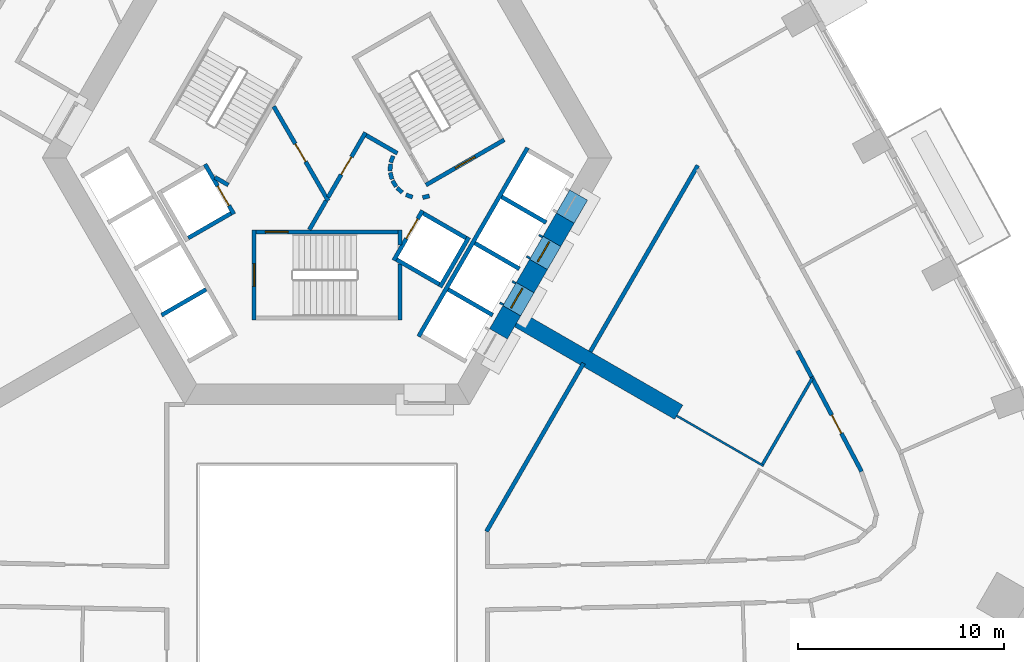
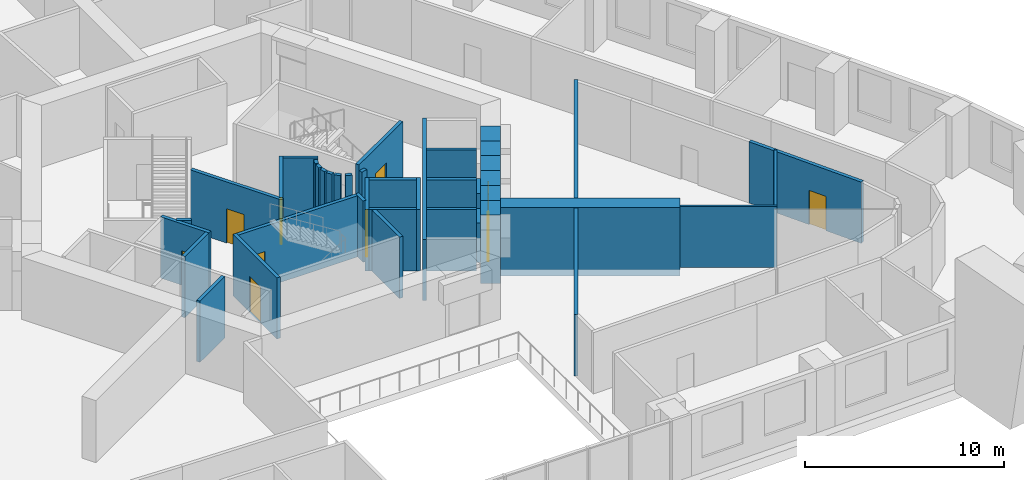
# One storey, part 6 of 14: 43 walls, 10 doors, 10 openings.
"""IFC4 building model written with IfcOpenShell, lengths in metres."""

from ifc_helpers import new_model, si_unit, direction, frame, frame_2d, origin, place, context, subcontext, project, spatial, polyline, rectangle, outline, extrude, material, layer, layer_set, type_object, element, fill, save


model = new_model("IFC4")

# Units and contexts
model_context = context("Model", 3, precision=1e-05, world=origin(), true_north=direction((0.0, 1.0)))
body_context = subcontext(model_context, "Body", "Model", "MODEL_VIEW")
ifc_project = project(units=[si_unit("LENGTHUNIT", "METRE"), si_unit("AREAUNIT", "SQUARE_METRE"), si_unit("VOLUMEUNIT", "CUBIC_METRE"), si_unit("PLANEANGLEUNIT", "RADIAN"), si_unit("MASSUNIT", "GRAM", prefix="KILO")], contexts=[model_context])

# Site, building, storey
site_placement = place(None, origin())
site = spatial("IfcSite", under=ifc_project, at=site_placement, CompositionType="ELEMENT")
building_placement = place(site_placement, origin())
building = spatial("IfcBuilding", under=site, at=building_placement, Name="Entoto Arch Interchange Tower", CompositionType="ELEMENT")
storey_placement = place(building_placement, frame((0.0, 0.0, 176.0)))
storey = spatial("IfcBuildingStorey", under=building, at=storey_placement, Name="L39", CompositionType="ELEMENT", Elevation=176.0)

# Walls
ifc_material_1 = material(Name="Concrete C50/60", Category="concrete")
ifc_layer_1 = layer(ifc_material_1, 0.800048828125)
ifc_layer_set_1 = layer_set([ifc_layer_1], Name="Concrete C50/60")
wall_type_1 = type_object("IfcWallType", Name="Buttress wall 800 C50/60", PredefinedType="SHEAR", material=ifc_layer_set_1)
wall_1_placement = place(storey_placement, frame((9.31005859375, -5.375, -0.39990234375), z_axis=(0.0, 0.0, 1.0), x_axis=(0.866017533419, -0.500013631625, 0.0)))
element("IfcWall", 1, at=wall_1_placement, inside=storey, type_object=wall_type_1, Name="Buttress wall SE L39", PredefinedType="SHEAR", context=body_context, shape_type="SweptSolid", body=[
    extrude(rectangle(XDim=8.999755859375, YDim=0.800048828125, at=frame_2d((4.5, 0.0))), origin(), (0.0, 0.0, 1.0), 4.199951171875),
])
ifc_layer_2 = layer(ifc_material_1, 1.0)
ifc_layer_set_2 = layer_set([ifc_layer_2], Name="Concrete C50/60")
wall_type_2 = type_object("IfcWallType", Name="Core wall 1000 C50/60", PredefinedType="SHEAR", material=ifc_layer_set_2)
wall_2_placement = place(storey_placement, frame((0.0, 0.0, -0.39990234375)))
element("IfcWall", 2, at=wall_2_placement, inside=storey, type_object=wall_type_2, Name="Core wall SE L39", PredefinedType="SHEAR", context=body_context, shape_type="SweptSolid", body=[
    extrude(outline(polyline([(9.4169921875, -5.18896484375), (8.551025390625, -4.68896484375), (7.902099609375, -5.81396484375), (8.76708984375, -6.31396484375), (9.4169921875, -5.18896484375)])), origin(), (0.0, 0.0, 1.0), 4.199951171875),
])
wall_3_placement = place(storey_placement, frame((0.0, 0.0, -0.39990234375)))
element("IfcWall", 3, at=wall_3_placement, inside=storey, type_object=wall_type_2, Name="Core wall SE L39", PredefinedType="SHEAR", context=body_context, shape_type="SweptSolid", body=[
    extrude(outline(polyline([(10.717041015625, -2.93701171875), (9.85107421875, -2.43701171875), (9.200927734375, -3.56298828125), (10.06689453125, -4.06298828125), (10.717041015625, -2.93701171875)])), origin(), (0.0, 0.0, 1.0), 4.199951171875),
])
wall_4_placement = place(storey_placement, frame((0.0, 0.0, -0.39990234375)))
element("IfcWall", 4, at=wall_4_placement, inside=storey, type_object=wall_type_2, Name="Core wall SE L39", PredefinedType="SHEAR", context=body_context, shape_type="SweptSolid", body=[
    extrude(outline(polyline([(12.01708984375, -0.68603515625), (11.15087890625, -0.18603515625), (10.5009765625, -1.31103515625), (11.366943359375, -1.81103515625), (12.01708984375, -0.68603515625)])), origin(), (0.0, 0.0, 1.0), 4.199951171875),
])
wall_5_placement = place(storey_placement, frame((0.0, 0.0, 3.60009765625)))
element("IfcWall", 5, at=wall_5_placement, inside=storey, type_object=wall_type_2, Name="Core wall lintel SE L39", PredefinedType="SHEAR", context=body_context, shape_type="SweptSolid", body=[
    extrude(outline(polyline([(10.06689453125, -4.06298828125), (9.200927734375, -3.56298828125), (8.551025390625, -4.68896484375), (9.4169921875, -5.18896484375), (10.06689453125, -4.06298828125)])), origin(), (0.0, 0.0, 1.0), 0.199951171875),
])
wall_6_placement = place(storey_placement, frame((0.0, 0.0, 3.60009765625)))
element("IfcWall", 6, at=wall_6_placement, inside=storey, type_object=wall_type_2, Name="Core wall lintel SE L39", PredefinedType="SHEAR", context=body_context, shape_type="SweptSolid", body=[
    extrude(outline(polyline([(11.366943359375, -1.81103515625), (10.5009765625, -1.31103515625), (9.85107421875, -2.43701171875), (10.717041015625, -2.93701171875), (11.366943359375, -1.81103515625)])), origin(), (0.0, 0.0, 1.0), 0.199951171875),
])
wall_7_placement = place(storey_placement, frame((0.0, 0.0, 3.60009765625)))
element("IfcWall", 7, at=wall_7_placement, inside=storey, type_object=wall_type_2, Name="Core wall lintel SE L39", PredefinedType="SHEAR", context=body_context, shape_type="SweptSolid", body=[
    extrude(outline(polyline([(12.6669921875, 0.43994140625), (11.801025390625, 0.93994140625), (11.15087890625, -0.18603515625), (12.01708984375, -0.68603515625), (12.6669921875, 0.43994140625)])), origin(), (0.0, 0.0, 1.0), 0.199951171875),
])

# Wall, opening, door
ifc_material_2 = material(Name="Concrete C40/50", Category="concrete")
ifc_layer_3 = layer(ifc_material_2, 1.199951171875)
ifc_layer_set_3 = layer_set([ifc_layer_3], Name="Concrete C40/50")
wall_type_3 = type_object("IfcWallType", Name="LIFT LANDING INFILL WALL", PredefinedType="STANDARD", material=ifc_layer_set_3)
wall_8_placement = place(storey_placement, frame((8.89794921875, -4.888916015625, 0.0), z_axis=(0.0, 0.0, 1.0), x_axis=(0.500036693733, 0.866004217611, 0.0)))
wall_8 = element("IfcWall", 8, at=wall_8_placement, inside=storey, type_object=wall_type_3, Name="Lift landing infill wall LR6 L39", PredefinedType="STANDARD", context=body_context, shape_type="SweptSolid", body=[
    extrude(rectangle(XDim=1.30029296875, YDim=1.199951171875, at=frame_2d((0.650146484375, 0.0))), origin(), (0.0, 0.0, 1.0), 2.39990234375),
])
opening_1_placement = place(wall_8_placement, frame((0.10009765625, 0.0, 0.0)))
opening_1 = element("IfcOpeningElement", 9, at=opening_1_placement, cuts=wall_8, Name="Opening LD-LR6-L39", PredefinedType="OPENING", context=body_context, shape_type="SweptSolid", body=[
    extrude(rectangle(XDim=1.10009765625, YDim=2.300048828125, at=frame_2d((0.550048828125, 1.14990234375))), frame((0.0, 0.60986328125, 0.0), z_axis=(0.0, -1.0, 0.0), x_axis=(1.0, 0.0, 0.0)), (0.0, 0.0, 1.0), 1.219970703125),
])
ifc_material_3 = material(Name="Stainless steel 1.4301 panels", Category="steel")
door_type_1 = type_object("IfcDoorType", Name="LIFT LANDING DOOR LD2 1100x2300", OperationType="SLIDING_TO_LEFT", PredefinedType="DOOR", material=ifc_material_3)
door_1_placement = place(opening_1_placement, origin())
door_1 = element("IfcDoor", 10, at=door_1_placement, inside=storey, type_object=door_type_1, Name="Lift landing door LR6 L39", OperationType="SLIDING_TO_LEFT", OverallHeight=2.300048828125, OverallWidth=1.10009765625, PredefinedType="DOOR", context=body_context, shape_type="SweptSolid", body=[
    extrude(rectangle(XDim=1.10009765625, YDim=2.300048828125, at=frame_2d((0.550048828125, 1.14990234375))), frame((0.0, 0.02490234375, 0.0), z_axis=(0.0, -1.0, 0.0), x_axis=(1.0, 0.0, 0.0)), (0.0, 0.0, 1.0), 0.050048828125),
])
fill(opening_1, door_1)

wall_9_placement = place(storey_placement, frame((10.197998046875, -2.636962890625, 0.0), z_axis=(0.0, 0.0, 1.0), x_axis=(0.49989585183, 0.866085525409, 0.0)))
wall_9 = element("IfcWall", 11, at=wall_9_placement, inside=storey, type_object=wall_type_3, Name="Lift landing infill wall LR7 L39", PredefinedType="STANDARD", context=body_context, shape_type="SweptSolid", body=[
    extrude(rectangle(XDim=1.300048828125, YDim=1.199951171875, at=frame_2d((0.64990234375, 0.0))), origin(), (0.0, 0.0, 1.0), 2.39990234375),
])
opening_2_placement = place(wall_9_placement, frame((0.10009765625, 0.0, 0.0)))
opening_2 = element("IfcOpeningElement", 12, at=opening_2_placement, cuts=wall_9, Name="Opening LD-LR7-L39", PredefinedType="OPENING", context=body_context, shape_type="SweptSolid", body=[
    extrude(rectangle(XDim=1.10009765625, YDim=2.300048828125, at=frame_2d((0.550048828125, 1.14990234375))), frame((0.0, 0.60986328125, 0.0), z_axis=(0.0, -1.0, 0.0), x_axis=(1.0, 0.0, 0.0)), (0.0, 0.0, 1.0), 1.219970703125),
])
door_2_placement = place(opening_2_placement, origin())
door_2 = element("IfcDoor", 13, at=door_2_placement, inside=storey, type_object=door_type_1, Name="Lift landing door LR7 L39", OperationType="SLIDING_TO_LEFT", OverallHeight=2.300048828125, OverallWidth=1.10009765625, PredefinedType="DOOR", context=body_context, shape_type="SweptSolid", body=[
    extrude(rectangle(XDim=1.10009765625, YDim=2.300048828125, at=frame_2d((0.550048828125, 1.14990234375))), frame((0.0, 0.02490234375, 0.0), z_axis=(0.0, -1.0, 0.0), x_axis=(1.0, 0.0, 0.0)), (0.0, 0.0, 1.0), 0.050048828125),
])
fill(opening_2, door_2)

ifc_layer_4 = layer(ifc_material_2, 0.199951171875)
ifc_layer_set_4 = layer_set([ifc_layer_4], Name="Concrete C40/50")
wall_type_4 = type_object("IfcWallType", Name="LIFT SHAFT WALL 200", PredefinedType="STANDARD", material=ifc_layer_set_4)
wall_10_placement = place(storey_placement, frame((-5.93994140625, 2.18798828125, 0.0), z_axis=(0.0, 0.0, 1.0), x_axis=(0.49994636267, -0.866056369097, 0.0)))
wall_10 = element("IfcWall", 14, at=wall_10_placement, inside=storey, type_object=wall_type_4, Name="Shaft wall SW1 front", PredefinedType="STANDARD", context=body_context, shape_type="SweptSolid", body=[
    extrude(rectangle(XDim=2.800048828125, YDim=0.199951171875, at=frame_2d((1.39990234375, 0.0))), origin(), (0.0, 0.0, 1.0), 3.75),
])
opening_3_placement = place(wall_10_placement, frame((1.22509765625, 0.0, 0.0)))
opening_3 = element("IfcOpeningElement", 15, at=opening_3_placement, cuts=wall_10, Name="Opening LD-FF2-L39", PredefinedType="OPENING", context=body_context, shape_type="SweptSolid", body=[
    extrude(rectangle(XDim=1.10009765625, YDim=2.10009765625, at=frame_2d((0.550048828125, 1.050048828125))), frame((0.0, 0.10986328125, 0.0), z_axis=(0.0, -1.0, 0.0), x_axis=(1.0, 0.0, 0.0)), (0.0, 0.0, 1.0), 0.219970703125),
])
door_type_2 = type_object("IfcDoorType", Name="LIFT LANDING DOOR LD1 1100x2100", OperationType="SLIDING_TO_LEFT", PredefinedType="DOOR", material=ifc_material_3)
door_3_placement = place(opening_3_placement, origin())
door_3 = element("IfcDoor", 16, at=door_3_placement, inside=storey, type_object=door_type_2, Name="Lift landing door FF2 L39", OperationType="SLIDING_TO_LEFT", OverallHeight=2.10009765625, OverallWidth=1.10009765625, PredefinedType="DOOR", context=body_context, shape_type="SweptSolid", body=[
    extrude(rectangle(XDim=1.10009765625, YDim=2.10009765625, at=frame_2d((0.550048828125, 1.050048828125))), frame((0.0, 0.02490234375, 0.0), z_axis=(0.0, -1.0, 0.0), x_axis=(1.0, 0.0, 0.0)), (0.0, 0.0, 1.0), 0.050048828125),
])
fill(opening_3, door_3)

# Walls
wall_11_placement = place(storey_placement, frame((-4.677001953125, -0.199951171875, 0.0), z_axis=(0.0, 0.0, 1.0), x_axis=(-0.865973769406, -0.500089422704, 0.0)))
element("IfcWall", 17, at=wall_11_placement, inside=storey, type_object=wall_type_4, Name="Shaft wall SW1 cross 2", PredefinedType="STANDARD", context=body_context, shape_type="SweptSolid", body=[
    extrude(rectangle(XDim=2.3994140625, YDim=0.199951171875, at=frame_2d((1.19970703125, 0.0))), origin(), (0.0, 0.0, 1.0), 3.75),
])
wall_12_placement = place(storey_placement, frame((-5.887939453125, -3.902099609375, 0.0), z_axis=(0.0, 0.0, 1.0), x_axis=(-0.866022959057, -0.500004234368, 0.0)))
element("IfcWall", 18, at=wall_12_placement, inside=storey, type_object=wall_type_4, Name="Shaft wall SW3 cross 4", PredefinedType="STANDARD", context=body_context, shape_type="SweptSolid", body=[
    extrude(rectangle(XDim=2.5, YDim=0.199951171875, at=frame_2d((1.25, 0.0))), origin(), (0.0, 0.0, 1.0), 3.75),
])

# Wall, opening, door
wall_13_placement = place(storey_placement, frame((3.239990234375, -2.488037109375, 0.0), z_axis=(0.0, 0.0, 1.0), x_axis=(0.49994636267, 0.866056369097, 0.0)))
wall_13 = element("IfcWall", 19, at=wall_13_placement, inside=storey, type_object=wall_type_4, Name="Shaft wall SE1 front", PredefinedType="STANDARD", context=body_context, shape_type="SweptSolid", body=[
    extrude(rectangle(XDim=2.800048828125, YDim=0.199951171875, at=frame_2d((1.39990234375, 0.0))), origin(), (0.0, 0.0, 1.0), 3.75),
])
opening_4_placement = place(wall_13_placement, frame((1.22509765625, 0.0, 0.0)))
opening_4 = element("IfcOpeningElement", 20, at=opening_4_placement, cuts=wall_13, Name="Opening LD-FF1-L39", PredefinedType="OPENING", context=body_context, shape_type="SweptSolid", body=[
    extrude(rectangle(XDim=1.10009765625, YDim=2.10009765625, at=frame_2d((0.550048828125, 1.050048828125))), frame((0.0, 0.10986328125, 0.0), z_axis=(0.0, -1.0, 0.0), x_axis=(1.0, 0.0, 0.0)), (0.0, 0.0, 1.0), 0.219970703125),
])
door_4_placement = place(opening_4_placement, origin())
door_4 = element("IfcDoor", 21, at=door_4_placement, inside=storey, type_object=door_type_2, Name="Lift landing door FF1 L39", OperationType="SLIDING_TO_LEFT", OverallHeight=2.10009765625, OverallWidth=1.10009765625, PredefinedType="DOOR", context=body_context, shape_type="SweptSolid", body=[
    extrude(rectangle(XDim=1.10009765625, YDim=2.10009765625, at=frame_2d((0.550048828125, 1.050048828125))), frame((0.0, 0.02490234375, 0.0), z_axis=(0.0, -1.0, 0.0), x_axis=(1.0, 0.0, 0.0)), (0.0, 0.0, 1.0), 0.050048828125),
])
fill(opening_4, door_4)

# Walls
wall_14_placement = place(storey_placement, frame((5.491943359375, -3.7880859375, 0.0), z_axis=(0.0, 0.0, 1.0), x_axis=(0.500011755427, 0.866018616679, 0.0)))
element("IfcWall", 22, at=wall_14_placement, inside=storey, type_object=wall_type_4, Name="Shaft wall SE1 back", PredefinedType="STANDARD", context=body_context, shape_type="SweptSolid", body=[
    extrude(rectangle(XDim=2.80029296875, YDim=0.199951171875, at=frame_2d((1.400146484375, 0.0))), origin(), (0.0, 0.0, 1.0), 3.75),
])
wall_15_placement = place(storey_placement, frame((3.376953125, -2.451904296875, 0.0), z_axis=(0.0, 0.0, 1.0), x_axis=(0.865955154139, -0.50012165622, 0.0)))
element("IfcWall", 23, at=wall_15_placement, inside=storey, type_object=wall_type_4, Name="Shaft wall SE1 cross 1", PredefinedType="STANDARD", context=body_context, shape_type="SweptSolid", body=[
    extrude(rectangle(XDim=2.39990234375, YDim=0.199951171875, at=frame_2d((1.199951171875, 0.0))), origin(), (0.0, 0.0, 1.0), 3.75),
])
wall_16_placement = place(storey_placement, frame((4.677001953125, -0.199951171875, 0.0), z_axis=(0.0, 0.0, 1.0), x_axis=(0.865973769406, -0.500089422704, 0.0)))
element("IfcWall", 24, at=wall_16_placement, inside=storey, type_object=wall_type_4, Name="Shaft wall SE1 cross 2", PredefinedType="STANDARD", context=body_context, shape_type="SweptSolid", body=[
    extrude(rectangle(XDim=2.3994140625, YDim=0.199951171875, at=frame_2d((1.19970703125, 0.0))), origin(), (0.0, 0.0, 1.0), 3.75),
])
wall_17_placement = place(storey_placement, frame((4.450927734375, -6.18994140625, 0.0), z_axis=(0.0, 0.0, 1.0), x_axis=(0.50000090737, 0.866024879913, 0.0)))
element("IfcWall", 25, at=wall_17_placement, inside=storey, type_object=wall_type_4, Name="Shaft wall SE3 front", PredefinedType="STANDARD", context=body_context, shape_type="SweptSolid", body=[
    extrude(rectangle(XDim=10.60009765625, YDim=0.199951171875, at=frame_2d((5.300048828125, 0.0))), origin(), (0.0, 0.0, 1.0), 3.75),
])
for number, where, z_axis, x_axis, name in (
    (26, (5.887939453125, -3.902099609375, 0.0), (0.0, 0.0, 1.0), (0.866022959057, -0.500004234368, 0.0), "Shaft wall SE3 cross 2"),
    (27, (7.18798828125, -1.64990234375, 0.0), (0.0, 0.0, 1.0), (0.866022959057, -0.500004234368, 0.0), "Shaft wall SE3 cross 3"),
    (28, (8.488037109375, 0.60205078125, 0.0), (0.0, 0.0, 1.0), (0.866022959057, -0.500004234368, 0.0), "Shaft wall SE3 cross 4"),
):
    element("IfcWall", number, at=place(storey_placement, frame(where, z_axis=z_axis, x_axis=x_axis)), inside=storey, type_object=wall_type_4, Name=name, PredefinedType="STANDARD", context=body_context, shape_type="SweptSolid", body=[
        extrude(rectangle(XDim=2.5, YDim=0.199951171875, at=frame_2d((1.25, 0.0))), origin(), (0.0, 0.0, 1.0), 3.75),
    ])
ifc_material_4 = material(Name="Gypsum board partition on steel studs", Category="steel")
ifc_layer_5 = layer(ifc_material_4, 0.10009765625)
ifc_layer_set_5 = layer_set([ifc_layer_5], Name="Gypsum board partition on steel studs")
wall_type_5 = type_object("IfcWallType", Name="PARTITION 100", PredefinedType="PARTITIONING", material=ifc_layer_set_5)
wall_18_placement = place(storey_placement, frame((17.00390625, -10.047119140625, 0.0), z_axis=(0.0, 0.0, 1.0), x_axis=(0.865997117979, -0.500048989253, 0.0)))
element("IfcWall", 29, at=wall_18_placement, inside=storey, type_object=wall_type_5, Name="wall:L39:p108", PredefinedType="PARTITIONING", context=body_context, shape_type="SweptSolid", body=[
    extrude(rectangle(XDim=4.87548828125, YDim=0.10009765625, at=frame_2d((2.437744140625, 0.0))), origin(), (0.0, 0.0, 1.0), 3.75),
])
ifc_layer_6 = layer(ifc_material_4, 0.14990234375)
ifc_layer_set_6 = layer_set([ifc_layer_6], Name="Gypsum board partition on steel studs")
wall_type_6 = type_object("IfcWallType", Name="PARTITION 150", PredefinedType="PARTITIONING", material=ifc_layer_set_6)
wall_19_placement = place(storey_placement, frame((23.60009765625, -8.22412109375, 0.0), z_axis=(0.0, 0.0, 1.0), x_axis=(-0.500120854176, -0.865955617349, 0.0)))
element("IfcWall", 30, at=wall_19_placement, inside=storey, type_object=wall_type_6, Name="wall:L39:p110", PredefinedType="PARTITIONING", context=body_context, shape_type="SweptSolid", body=[
    extrude(rectangle(XDim=4.826904296875, YDim=0.14990234375, at=frame_2d((2.41357421875, 0.0))), origin(), (0.0, 0.0, 1.0), 3.75),
])
ifc_layer_7 = layer(ifc_material_4, 0.199951171875)
ifc_layer_set_7 = layer_set([ifc_layer_7], Name="Gypsum board partition on steel studs")
wall_type_7 = type_object("IfcWallType", Name="PARTITION 200", PredefinedType="PARTITIONING", material=ifc_layer_set_7)
wall_20_placement = place(storey_placement, frame((23.56494140625, -8.157958984375, 0.0), z_axis=(0.0, 0.0, 1.0), x_axis=(-0.46753134131, 0.883976495668, 0.0)))
element("IfcWall", 31, at=wall_20_placement, inside=storey, type_object=wall_type_7, Name="wall:L39:p022", PredefinedType="PARTITIONING", context=body_context, shape_type="SweptSolid", body=[
    extrude(rectangle(XDim=1.447998046875, YDim=0.199951171875, at=frame_2d((0.72412109375, 0.0))), origin(), (0.0, 0.0, 1.0), 3.75),
])

# Wall, opening, door
wall_21_placement = place(storey_placement, frame((26.0, -12.761962890625, 0.0), z_axis=(0.0, 0.0, 1.0), x_axis=(-0.467534471159, 0.883974840297, 0.0)))
wall_21 = element("IfcWall", 32, at=wall_21_placement, inside=storey, type_object=wall_type_7, Name="wall:L39:p031", PredefinedType="PARTITIONING", context=body_context, shape_type="SweptSolid", body=[
    extrude(rectangle(XDim=5.208251953125, YDim=0.199951171875, at=frame_2d((2.60400390625, 0.0))), origin(), (0.0, 0.0, 1.0), 3.75),
])
opening_5_placement = place(wall_21_placement, frame((2.10400390625, 0.0, 0.0)))
opening_5 = element("IfcOpeningElement", 33, at=opening_5_placement, cuts=wall_21, Name="Opening L39-D22", PredefinedType="OPENING", context=body_context, shape_type="SweptSolid", body=[
    extrude(rectangle(XDim=1.0, YDim=2.10009765625, at=frame_2d((0.5, 1.050048828125))), frame((0.0, 0.10986328125, 0.0), z_axis=(0.0, -1.0, 0.0), x_axis=(1.0, 0.0, 0.0)), (0.0, 0.0, 1.0), 0.219970703125),
])
ifc_material_5 = material(Name="Timber door leaf in Steel S235 frame", Category="steel")
door_type_3 = type_object("IfcDoorType", Name="DOOR DS-10 1000x2100", OperationType="SINGLE_SWING_LEFT", PredefinedType="DOOR", material=ifc_material_5)
door_5_placement = place(opening_5_placement, origin())
door_5 = element("IfcDoor", 34, at=door_5_placement, inside=storey, type_object=door_type_3, Name="door:L39:22", OperationType="SINGLE_SWING_LEFT", OverallHeight=2.10009765625, OverallWidth=1.0, PredefinedType="DOOR", context=body_context, shape_type="SweptSolid", body=[
    extrude(rectangle(XDim=1.0, YDim=2.10009765625, at=frame_2d((0.5, 1.050048828125))), frame((0.0, 0.02490234375, 0.0), z_axis=(0.0, -1.0, 0.0), x_axis=(1.0, 0.0, 0.0)), (0.0, 0.0, 1.0), 0.050048828125),
])
fill(opening_5, door_5)

# Wall
wall_22_placement = place(storey_placement, frame((-0.865966796875, -1.0, 0.0), z_axis=(0.0, 0.0, 1.0), x_axis=(0.500033287521, 0.866006184372, 0.0)))
element("IfcWall", 35, at=wall_22_placement, inside=storey, type_object=wall_type_7, Name="wall:L39:p085", PredefinedType="PARTITIONING", context=body_context, shape_type="SweptSolid", body=[
    extrude(rectangle(XDim=1.6318359375, YDim=0.199951171875, at=frame_2d((0.81591796875, 0.0))), origin(), (0.0, 0.0, 1.0), 3.75),
])

# Wall, opening, door
wall_23_placement = place(storey_placement, frame((0.050048828125, 0.5869140625, 0.0), z_axis=(0.0, 0.0, 1.0), x_axis=(0.500028932171, 0.866008699143, 0.0)))
wall_23 = element("IfcWall", 36, at=wall_23_placement, inside=storey, type_object=wall_type_7, Name="wall:L39:p086", PredefinedType="PARTITIONING", context=body_context, shape_type="SweptSolid", body=[
    extrude(rectangle(XDim=3.631591796875, YDim=0.199951171875, at=frame_2d((1.81591796875, 0.0))), origin(), (0.0, 0.0, 1.0), 3.75),
])
opening_6_placement = place(wall_23_placement, frame((1.26611328125, 0.0, 0.0)))
opening_6 = element("IfcOpeningElement", 37, at=opening_6_placement, cuts=wall_23, Name="Opening L39-D30", PredefinedType="OPENING", context=body_context, shape_type="SweptSolid", body=[
    extrude(rectangle(XDim=1.0, YDim=2.10009765625, at=frame_2d((0.5, 1.050048828125))), frame((0.0, 0.10986328125, 0.0), z_axis=(0.0, -1.0, 0.0), x_axis=(1.0, 0.0, 0.0)), (0.0, 0.0, 1.0), 0.219970703125),
])
ifc_material_6 = material(Name="Fire-rated Steel S235 door and frame", Category="steel")
door_type_4 = type_object("IfcDoorType", Name="DOOR FD-10 1000x2100", OperationType="SINGLE_SWING_LEFT", PredefinedType="DOOR", material=ifc_material_6)
door_6_placement = place(opening_6_placement, origin())
door_6 = element("IfcDoor", 38, at=door_6_placement, inside=storey, type_object=door_type_4, Name="door:L39:30", OperationType="SINGLE_SWING_RIGHT", OverallHeight=2.10009765625, OverallWidth=1.0, PredefinedType="DOOR", context=body_context, shape_type="SweptSolid", body=[
    extrude(rectangle(XDim=1.0, YDim=2.10009765625, at=frame_2d((0.5, 1.050048828125))), frame((0.0, 0.02490234375, 0.0), z_axis=(0.0, -1.0, 0.0), x_axis=(1.0, 0.0, 0.0)), (0.0, 0.0, 1.0), 0.050048828125),
])
fill(opening_6, door_6)

# Walls
wall_24_placement = place(storey_placement, frame((1.903076171875, 3.594970703125, 0.0), z_axis=(0.0, 0.0, 1.0), x_axis=(0.866239139897, -0.499629615326, 0.0)))
element("IfcWall", 39, at=wall_24_placement, inside=storey, type_object=wall_type_7, Name="wall:L39:p087", PredefinedType="PARTITIONING", context=body_context, shape_type="SweptSolid", body=[
    extrude(rectangle(XDim=1.745361328125, YDim=0.199951171875, at=frame_2d((0.87255859375, 0.0))), origin(), (0.0, 0.0, 1.0), 3.75),
])
wall_25_placement = place(storey_placement, frame((3.2080078125, 2.592041015625, 0.0), z_axis=(0.0, 0.0, 1.0), x_axis=(-0.337388820924, -0.941365382578, 0.0)))
element("IfcWall", 40, at=wall_25_placement, inside=storey, type_object=wall_type_7, Name="wall:L39:p088", PredefinedType="PARTITIONING", context=body_context, shape_type="SweptSolid", body=[
    extrude(rectangle(XDim=0.337890625, YDim=0.199951171875, at=frame_2d((0.1689453125, 0.0))), origin(), (0.0, 0.0, 1.0), 3.75),
])
wall_26_placement = place(storey_placement, frame((3.0791015625, 2.198974609375, 0.0), z_axis=(0.0, 0.0, 1.0), x_axis=(-0.047771483479, -0.998858290933, 0.0)))
element("IfcWall", 41, at=wall_26_placement, inside=storey, type_object=wall_type_7, Name="wall:L39:p089", PredefinedType="PARTITIONING", context=body_context, shape_type="SweptSolid", body=[
    extrude(rectangle(XDim=0.33740234375, YDim=0.199951171875, at=frame_2d((0.168701171875, 0.0))), origin(), (0.0, 0.0, 1.0), 3.75),
])
wall_27_placement = place(storey_placement, frame((3.070068359375, 1.785888671875, 0.0), z_axis=(0.0, 0.0, 1.0), x_axis=(0.242705583207, -0.970099994784, 0.0)))
element("IfcWall", 42, at=wall_27_placement, inside=storey, type_object=wall_type_7, Name="wall:L39:p090", PredefinedType="PARTITIONING", context=body_context, shape_type="SweptSolid", body=[
    extrude(rectangle(XDim=0.337890625, YDim=0.199951171875, at=frame_2d((0.1689453125, 0.0))), origin(), (0.0, 0.0, 1.0), 3.75),
])
for number, where, z_axis, x_axis, name in (
    (43, (3.181884765625, 1.387939453125, 0.0), (0.0, 0.0, 1.0), (0.512474702713, -0.85870232274, 0.0), "wall:L39:p091"),
    (44, (3.404052734375, 1.0390625, 0.0), (0.0, 0.0, 1.0), (0.740267097712, -0.672312891476, 0.0), "wall:L39:p092"),
):
    element("IfcWall", number, at=place(storey_placement, frame(where, z_axis=z_axis, x_axis=x_axis)), inside=storey, type_object=wall_type_7, Name=name, PredefinedType="PARTITIONING", context=body_context, shape_type="SweptSolid", body=[
        extrude(rectangle(XDim=0.337646484375, YDim=0.199951171875, at=frame_2d((0.1689453125, 0.0))), origin(), (0.0, 0.0, 1.0), 3.75),
    ])
wall_28_placement = place(storey_placement, frame((3.837890625, 0.701904296875, 0.0), z_axis=(0.0, 0.0, 1.0), x_axis=(0.941035081519, -0.338308993895, 0.0)))
element("IfcWall", 45, at=wall_28_placement, inside=storey, type_object=wall_type_7, Name="wall:L39:p093", PredefinedType="PARTITIONING", context=body_context, shape_type="SweptSolid", body=[
    extrude(rectangle(XDim=0.3369140625, YDim=0.199951171875, at=frame_2d((0.16845703125, 0.0))), origin(), (0.0, 0.0, 1.0), 3.75),
])
wall_29_placement = place(storey_placement, frame((4.64404296875, 0.56396484375, 0.0), z_axis=(0.0, 0.0, 1.0), x_axis=(0.969929076366, 0.243387729394, 0.0)))
element("IfcWall", 46, at=wall_29_placement, inside=storey, type_object=wall_type_7, Name="wall:L39:p094", PredefinedType="PARTITIONING", context=body_context, shape_type="SweptSolid", body=[
    extrude(rectangle(XDim=0.337158203125, YDim=0.199951171875, at=frame_2d((0.16845703125, 0.0))), origin(), (0.0, 0.0, 1.0), 3.75),
])

# Wall, opening, door
wall_30_placement = place(storey_placement, frame((-2.597900390625, 5.0, 0.0), z_axis=(0.0, 0.0, 1.0), x_axis=(0.49995654735, -0.86605048973, 0.0)))
wall_30 = element("IfcWall", 47, at=wall_30_placement, inside=storey, type_object=wall_type_7, Name="wall:L39:p095", PredefinedType="PARTITIONING", context=body_context, shape_type="SweptSolid", body=[
    extrude(rectangle(XDim=5.29638671875, YDim=0.199951171875, at=frame_2d((2.648193359375, 0.0))), origin(), (0.0, 0.0, 1.0), 3.75),
])
opening_7_placement = place(wall_30_placement, frame((2.097900390625, 0.0, 0.0)))
opening_7 = element("IfcOpeningElement", 48, at=opening_7_placement, cuts=wall_30, Name="Opening L39-D31", PredefinedType="OPENING", context=body_context, shape_type="SweptSolid", body=[
    extrude(rectangle(XDim=1.0, YDim=2.10009765625, at=frame_2d((0.5, 1.050048828125))), frame((0.0, 0.10986328125, 0.0), z_axis=(0.0, -1.0, 0.0), x_axis=(1.0, 0.0, 0.0)), (0.0, 0.0, 1.0), 0.219970703125),
])
door_7_placement = place(opening_7_placement, origin())
door_7 = element("IfcDoor", 49, at=door_7_placement, inside=storey, type_object=door_type_4, Name="door:L39:31", OperationType="SINGLE_SWING_RIGHT", OverallHeight=2.10009765625, OverallWidth=1.0, PredefinedType="DOOR", context=body_context, shape_type="SweptSolid", body=[
    extrude(rectangle(XDim=1.0, YDim=2.10009765625, at=frame_2d((0.5, 1.050048828125))), frame((0.0, 0.02490234375, 0.0), z_axis=(0.0, -1.0, 0.0), x_axis=(1.0, 0.0, 0.0)), (0.0, 0.0, 1.0), 0.050048828125),
])
fill(opening_7, door_7)

# Walls
wall_31_placement = place(storey_placement, frame((12.47607421875, -7.490966796875, 0.0), z_axis=(0.0, 0.0, 1.0), x_axis=(-0.499989258007, -0.866031605588, 0.0)))
element("IfcWall", 50, at=wall_31_placement, inside=storey, type_object=wall_type_7, Name="wall:L39:p101", PredefinedType="PARTITIONING", context=body_context, shape_type="SweptSolid", body=[
    extrude(rectangle(XDim=9.452392578125, YDim=0.199951171875, at=frame_2d((4.72607421875, 0.0))), origin(), (0.0, 0.0, 1.0), 3.75),
])
wall_32_placement = place(storey_placement, frame((18.030029296875, 2.1298828125, 0.0), z_axis=(0.0, 0.0, 1.0), x_axis=(-0.499919790729, -0.866071707676, 0.0)))
element("IfcWall", 51, at=wall_32_placement, inside=storey, type_object=wall_type_7, Name="wall:L39:p102", PredefinedType="PARTITIONING", context=body_context, shape_type="SweptSolid", body=[
    extrude(rectangle(XDim=10.459716796875, YDim=0.199951171875, at=frame_2d((5.22998046875, 0.0))), origin(), (0.0, 0.0, 1.0), 3.75),
])

# Wall, opening, door
ifc_layer_8 = layer(ifc_material_2, 0.199951171875)
ifc_layer_set_8 = layer_set([ifc_layer_8], Name="Concrete C40/50")
wall_type_8 = type_object("IfcWallType", Name="STAIR ENCLOSURE WALL 200", PredefinedType="STANDARD", material=ifc_layer_set_8)
wall_33_placement = place(storey_placement, frame((-3.550048828125, -1.0, 0.0), z_axis=(0.0, 0.0, 1.0), x_axis=(0.0, -1.0, 0.0)))
wall_33 = element("IfcWall", 52, at=wall_33_placement, inside=storey, type_object=wall_type_8, Name="Stair wall ST-S near", PredefinedType="STANDARD", context=body_context, shape_type="SweptSolid", body=[
    extrude(rectangle(XDim=4.39990234375, YDim=0.199951171875, at=frame_2d((2.199951171875, 0.0))), origin(), (0.0, 0.0, 1.0), 3.75),
])
opening_8_placement = place(wall_33_placement, frame((1.64990234375, 0.0, 0.0)))
opening_8 = element("IfcOpeningElement", 53, at=opening_8_placement, cuts=wall_33, Name="Opening SD-ST-S-L39-E", PredefinedType="OPENING", context=body_context, shape_type="SweptSolid", body=[
    extrude(rectangle(XDim=1.10009765625, YDim=2.199951171875, at=frame_2d((0.550048828125, 1.10009765625))), frame((0.0, 0.10986328125, 0.0), z_axis=(0.0, -1.0, 0.0), x_axis=(1.0, 0.0, 0.0)), (0.0, 0.0, 1.0), 0.219970703125),
])
ifc_material_7 = material(Name="Steel S235", Category="steel")
door_type_5 = type_object("IfcDoorType", Name="STAIR DOOR SD1 1100x2200", OperationType="SINGLE_SWING_LEFT", PredefinedType="DOOR", material=ifc_material_7)
door_8_placement = place(opening_8_placement, origin())
door_8 = element("IfcDoor", 54, at=door_8_placement, inside=storey, type_object=door_type_5, Name="Stair door ST-S L39 end", OperationType="SINGLE_SWING_LEFT", OverallHeight=2.199951171875, OverallWidth=1.10009765625, PredefinedType="DOOR", context=body_context, shape_type="SweptSolid", body=[
    extrude(rectangle(XDim=1.10009765625, YDim=2.199951171875, at=frame_2d((0.550048828125, 1.10009765625))), frame((0.0, 0.02490234375, 0.0), z_axis=(0.0, -1.0, 0.0), x_axis=(1.0, 0.0, 0.0)), (0.0, 0.0, 1.0), 0.050048828125),
])
fill(opening_8, door_8)

# Walls
wall_34_placement = place(storey_placement, frame((3.550048828125, -2.6669921875, 0.0), z_axis=(0.0, 0.0, 1.0), x_axis=(0.0, -1.0, 0.0)))
element("IfcWall", 55, at=wall_34_placement, inside=storey, type_object=wall_type_8, Name="Stair wall ST-S far", PredefinedType="STANDARD", context=body_context, shape_type="SweptSolid", body=[
    extrude(rectangle(XDim=2.73291015625, YDim=0.199951171875, at=frame_2d((1.366455078125, 0.0))), origin(), (0.0, 0.0, 1.0), 3.75),
])
wall_35_placement = place(storey_placement, frame((3.550048828125, -1.0, 0.0), z_axis=(0.0, 0.0, 1.0), x_axis=(0.0, -1.0, 0.0)))
element("IfcWall", 56, at=wall_35_placement, inside=storey, type_object=wall_type_8, Name="Stair wall ST-S far return", PredefinedType="STANDARD", context=body_context, shape_type="SweptSolid", body=[
    extrude(rectangle(XDim=0.7509765625, YDim=0.199951171875, at=frame_2d((0.37548828125, 0.0))), origin(), (0.0, 0.0, 1.0), 3.75),
])

# Wall, opening, door
wall_36_placement = place(storey_placement, frame((-3.449951171875, -1.10009765625, 0.0), z_axis=(0.0, 0.0, 1.0), x_axis=(1.0, 0.0, 0.0)))
wall_36 = element("IfcWall", 57, at=wall_36_placement, inside=storey, type_object=wall_type_8, Name="Stair wall ST-S hall", PredefinedType="STANDARD", context=body_context, shape_type="SweptSolid", body=[
    extrude(rectangle(XDim=6.89990234375, YDim=0.199951171875, at=frame_2d((3.449951171875, 0.0))), origin(), (0.0, 0.0, 1.0), 3.75),
])
opening_9_placement = place(wall_36_placement, frame((0.449951171875, 0.0, 0.0)))
opening_9 = element("IfcOpeningElement", 58, at=opening_9_placement, cuts=wall_36, Name="Opening SD-ST-S-L39", PredefinedType="OPENING", context=body_context, shape_type="SweptSolid", body=[
    extrude(rectangle(XDim=1.10009765625, YDim=2.199951171875, at=frame_2d((0.550048828125, 1.10009765625))), frame((0.0, 0.10986328125, 0.0), z_axis=(0.0, -1.0, 0.0), x_axis=(1.0, 0.0, 0.0)), (0.0, 0.0, 1.0), 0.219970703125),
])
door_9_placement = place(opening_9_placement, origin())
door_9 = element("IfcDoor", 59, at=door_9_placement, inside=storey, type_object=door_type_5, Name="Stair door ST-S L39", OperationType="SINGLE_SWING_LEFT", OverallHeight=2.199951171875, OverallWidth=1.10009765625, PredefinedType="DOOR", context=body_context, shape_type="SweptSolid", body=[
    extrude(rectangle(XDim=1.10009765625, YDim=2.199951171875, at=frame_2d((0.550048828125, 1.10009765625))), frame((0.0, 0.02490234375, 0.0), z_axis=(0.0, -1.0, 0.0), x_axis=(1.0, 0.0, 0.0)), (0.0, 0.0, 1.0), 0.050048828125),
])
fill(opening_9, door_9)

wall_37_placement = place(storey_placement, frame((4.805908203125, 1.176025390625, 0.0), z_axis=(0.0, 0.0, 1.0), x_axis=(0.866059941101, 0.499940174841, 0.0)))
wall_37 = element("IfcWall", 60, at=wall_37_placement, inside=storey, type_object=wall_type_8, Name="Stair wall ST-NE near", PredefinedType="STANDARD", context=body_context, shape_type="SweptSolid", body=[
    extrude(rectangle(XDim=4.400390625, YDim=0.199951171875, at=frame_2d((2.2001953125, 0.0))), origin(), (0.0, 0.0, 1.0), 3.75),
])
opening_10_placement = place(wall_37_placement, frame((1.64990234375, 0.0, 0.0)))
opening_10 = element("IfcOpeningElement", 61, at=opening_10_placement, cuts=wall_37, Name="Opening SD-ST-NE-L39-E", PredefinedType="OPENING", context=body_context, shape_type="SweptSolid", body=[
    extrude(rectangle(XDim=1.10009765625, YDim=2.199951171875, at=frame_2d((0.550048828125, 1.10009765625))), frame((0.0, 0.10986328125, 0.0), z_axis=(0.0, -1.0, 0.0), x_axis=(1.0, 0.0, 0.0)), (0.0, 0.0, 1.0), 0.219970703125),
])
door_10_placement = place(opening_10_placement, origin())
door_10 = element("IfcDoor", 62, at=door_10_placement, inside=storey, type_object=door_type_5, Name="Stair door ST-NE L39 end", OperationType="SINGLE_SWING_LEFT", OverallHeight=2.199951171875, OverallWidth=1.10009765625, PredefinedType="DOOR", context=body_context, shape_type="SweptSolid", body=[
    extrude(rectangle(XDim=1.10009765625, YDim=2.199951171875, at=frame_2d((0.550048828125, 1.10009765625))), frame((0.0, 0.02490234375, 0.0), z_axis=(0.0, -1.0, 0.0), x_axis=(1.0, 0.0, 0.0)), (0.0, 0.0, 1.0), 0.050048828125),
])
fill(opening_10, door_10)

# Wall
wall_38_placement = place(storey_placement, frame((-4.805908203125, 1.176025390625, 0.0), z_axis=(0.0, 0.0, 1.0), x_axis=(-0.866558586415, 0.499075361355, 0.0)))
element("IfcWall", 63, at=wall_38_placement, inside=storey, type_object=wall_type_8, Name="Stair wall ST-NW far return", PredefinedType="STANDARD", context=body_context, shape_type="SweptSolid", body=[
    extrude(rectangle(XDim=0.75146484375, YDim=0.199951171875, at=frame_2d((0.375732421875, 0.0))), origin(), (0.0, 0.0, 1.0), 3.75),
])

save(model, "model.ifc")
